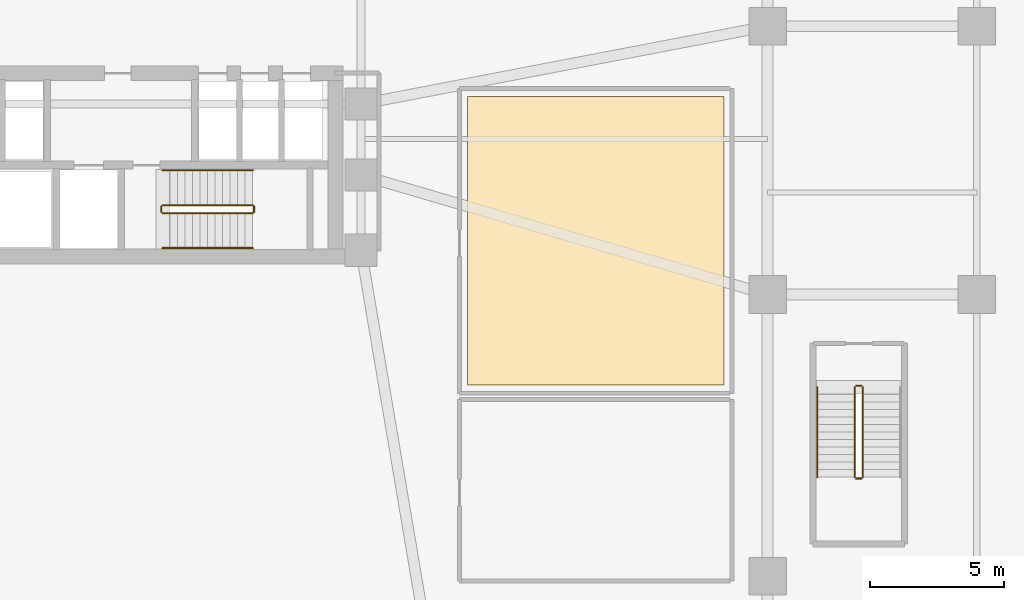
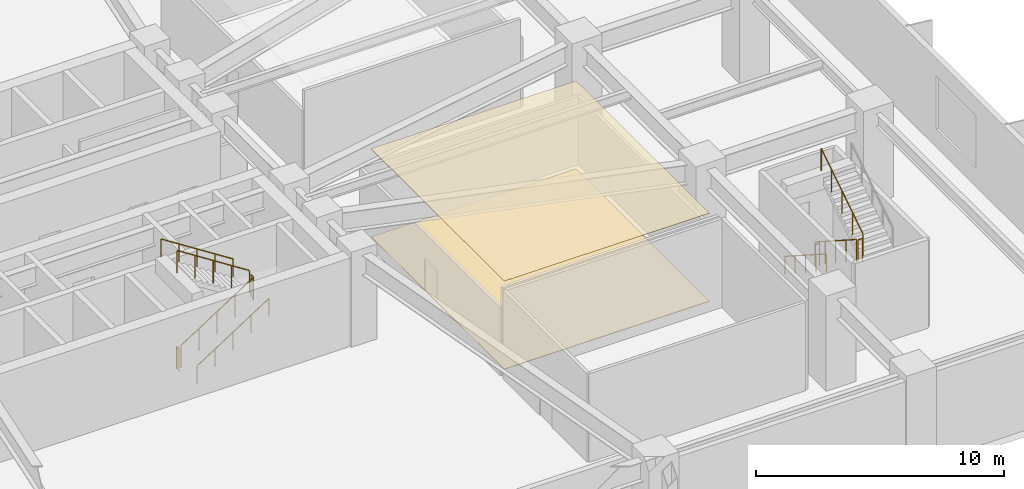
# One storey, part 9 of 12: 11 railings, 2 coverings.
"""IFC4 building model written with IfcOpenShell, lengths in metres."""

from ifc_helpers import new_model, si_unit, direction, frame, origin, origin_2d, place, context, subcontext, project, spatial, polyline, circle, outline, extrude, material, layer, layer_set, type_object, element, save


model = new_model("IFC4")

# Units and contexts
model_context = context("Model", 3, precision=1e-05, world=origin(), true_north=direction((0.0, 1.0)))
body_context = subcontext(model_context, "Body", "Model", "MODEL_VIEW")
ifc_project = project(units=[si_unit("LENGTHUNIT", "METRE"), si_unit("AREAUNIT", "SQUARE_METRE"), si_unit("VOLUMEUNIT", "CUBIC_METRE"), si_unit("PLANEANGLEUNIT", "RADIAN"), si_unit("MASSUNIT", "GRAM", prefix="KILO")], contexts=[model_context])

# Site, building, storey
site_placement = place(None, origin())
site = spatial("IfcSite", under=ifc_project, at=site_placement, CompositionType="ELEMENT")
building_placement = place(site_placement, origin())
building = spatial("IfcBuilding", under=site, at=building_placement, Name="Solmarez Civic Tower", CompositionType="ELEMENT")
storey_placement = place(building_placement, frame((0.0, 0.0, 5.39990234375)))
storey = spatial("IfcBuildingStorey", under=building, at=storey_placement, Name="L01", CompositionType="ELEMENT", Elevation=5.39990234375)

# Coverings
ifc_material_1 = material(Name="Perforated Mineral-Fibre Acoustic Ceiling")
ifc_layer_1 = layer(ifc_material_1, 0.02490234375)
ifc_layer_set_1 = layer_set([ifc_layer_1], Name="Perforated Mineral-Fibre Acoustic Ceiling")
covering_type_1 = type_object("IfcCoveringType", Name="COV-CEIL-ACOUSTIC", PredefinedType="CEILING", material=ifc_layer_set_1)
covering_1_placement = place(storey_placement, frame((0.0, 0.0, 4.335205078125)))
element("IfcCovering", 1, at=covering_1_placement, inside=storey, type_object=covering_type_1, Name="L01 Suspended Acoustic Ceiling 2", PredefinedType="CEILING", context=body_context, shape_type="SweptSolid", body=[
    extrude(outline(polyline([(22.3798828125, -13.3798828125), (22.3798828125, -2.6201171875), (12.820068359375, -2.6201171875), (12.820068359375, -13.3798828125), (22.3798828125, -13.3798828125)])), origin(), (0.0, 0.0, 1.0), 0.02490234375),
])
ifc_material_2 = material(Name="Polished Tropical Stone Terrazzo Flooring", Category="masonry")
ifc_layer_2 = layer(ifc_material_2, 0.02001953125)
ifc_layer_set_2 = layer_set([ifc_layer_2], Name="Polished Tropical Stone Terrazzo Flooring")
covering_type_2 = type_object("IfcCoveringType", Name="COV-FLOOR-TERRAZZO", PredefinedType="FLOORING", material=ifc_layer_set_2)
covering_2_placement = place(storey_placement, origin())
element("IfcCovering", 2, at=covering_2_placement, inside=storey, type_object=covering_type_2, Name="L01 Terrazzo Floor Finish 2", PredefinedType="FLOORING", context=body_context, shape_type="SweptSolid", body=[
    extrude(outline(polyline([(22.3798828125, -13.3798828125), (22.3798828125, -2.6201171875), (12.820068359375, -2.6201171875), (12.820068359375, -13.3798828125), (22.3798828125, -13.3798828125)])), origin(), (0.0, 0.0, 1.0), 0.02001953125),
])

# Railings
ifc_material_3 = material(Name="Painted Steel Stairwell Safety Guard", Category="steel")
railing_type_1 = type_object("IfcRailingType", Name="GUARD-STAIR-1120", PredefinedType="BALUSTRADE", material=ifc_material_3)
railing_1_placement = place(storey_placement, frame((1.449951171875, -6.969970703125, 0.18017578125)))
element("IfcRailing", 3, at=railing_1_placement, inside=storey, type_object=railing_type_1, Name="L01 ST-2 stair guard 1", PredefinedType="BALUSTRADE", context=body_context, shape_type="SweptSolid", body=[
    extrude(circle(Radius=0.02392578125, at=origin_2d()), frame((0.0, 0.0, 1.09619140625), z_axis=(0.84119634759, 0.0, 0.540729789082), x_axis=(0.0, 1.0, 0.0)), (0.0, 0.0, 1.0), 3.994384765625),
    extrude(circle(Radius=0.02099609375, at=origin_2d()), origin(), (0.0, 0.0, 1.0), 1.072021484375),
    extrude(circle(Radius=0.02099609375, at=origin_2d()), frame((0.840087890625, 0.0, 0.5400390625)), (0.0, 0.0, 1.0), 1.072021484375),
    extrude(circle(Radius=0.02099609375, at=origin_2d()), frame((1.68017578125, 0.0, 1.080078125)), (0.0, 0.0, 1.0), 1.072021484375),
    extrude(circle(Radius=0.02099609375, at=origin_2d()), frame((2.52001953125, 0.0, 1.619873046875)), (0.0, 0.0, 1.0), 1.072021484375),
    extrude(circle(Radius=0.02099609375, at=origin_2d()), frame((3.360107421875, 0.0, 2.159912109375)), (0.0, 0.0, 1.0), 1.072021484375),
])
railing_2_placement = place(storey_placement, frame((4.860107421875, -6.919921875, 2.340087890625)))
element("IfcRailing", 4, at=railing_2_placement, inside=storey, type_object=railing_type_1, Name="L01 ST-2 stair guard 2", PredefinedType="BALUSTRADE", context=body_context, shape_type="SweptSolid", body=[
    extrude(circle(Radius=0.02392578125, at=origin_2d()), frame((0.0, 0.0, 1.09619140625), z_axis=(0.0, 1.0, 0.0), x_axis=(-1.0, 0.0, 0.0)), (0.0, 0.0, 1.0), 0.199951171875),
    extrude(circle(Radius=0.02099609375, at=origin_2d()), origin(), (0.0, 0.0, 1.0), 1.072021484375),
    extrude(circle(Radius=0.02099609375, at=origin_2d()), frame((0.0, 0.199951171875, 0.0)), (0.0, 0.0, 1.0), 1.072021484375),
])
railing_3_placement = place(storey_placement, frame((4.81005859375, -6.669921875, 2.52001953125)))
element("IfcRailing", 5, at=railing_3_placement, inside=storey, type_object=railing_type_1, Name="L01 ST-2 stair guard 3", PredefinedType="BALUSTRADE", context=body_context, shape_type="SweptSolid", body=[
    extrude(circle(Radius=0.02392578125, at=origin_2d()), frame((0.0, 0.0, 1.09619140625), z_axis=(-0.8411685463, 0.0, 0.540773036232), x_axis=(0.0, -1.0, 0.0)), (0.0, 0.0, 1.0), 3.99462890625),
    extrude(circle(Radius=0.02099609375, at=origin_2d()), origin(), (0.0, 0.0, 1.0), 1.072021484375),
    extrude(circle(Radius=0.02099609375, at=origin_2d()), frame((-0.840087890625, 0.0, 0.5400390625)), (0.0, 0.0, 1.0), 1.072021484375),
    extrude(circle(Radius=0.02099609375, at=origin_2d()), frame((-1.68017578125, 0.0, 1.080078125)), (0.0, 0.0, 1.0), 1.072021484375),
    extrude(circle(Radius=0.02099609375, at=origin_2d()), frame((-2.52001953125, 0.0, 1.6201171875)), (0.0, 0.0, 1.0), 1.072021484375),
    extrude(circle(Radius=0.02099609375, at=origin_2d()), frame((-3.360107421875, 0.0, 2.16015625)), (0.0, 0.0, 1.0), 1.072021484375),
])
railing_4_placement = place(storey_placement, frame((1.39990234375, -6.919921875, 0.0)))
element("IfcRailing", 6, at=railing_4_placement, inside=storey, type_object=railing_type_1, Name="L01 ST-2 stair guard 4", PredefinedType="BALUSTRADE", context=body_context, shape_type="SweptSolid", body=[
    extrude(circle(Radius=0.02392578125, at=origin_2d()), frame((0.0, 0.0, 1.09619140625), z_axis=(0.0, 1.0, 0.0), x_axis=(-1.0, 0.0, 0.0)), (0.0, 0.0, 1.0), 0.199951171875),
    extrude(circle(Radius=0.02099609375, at=origin_2d()), origin(), (0.0, 0.0, 1.0), 1.072021484375),
    extrude(circle(Radius=0.02099609375, at=origin_2d()), frame((0.0, 0.199951171875, 0.0)), (0.0, 0.0, 1.0), 1.072021484375),
])
railing_5_placement = place(storey_placement, frame((27.25, -13.449951171875, 0.18017578125)))
element("IfcRailing", 7, at=railing_5_placement, inside=storey, type_object=railing_type_1, Name="L01 ST-P2 stair guard 1", PredefinedType="BALUSTRADE", context=body_context, shape_type="SweptSolid", body=[
    extrude(circle(Radius=0.02392578125, at=origin_2d()), frame((0.0, 0.0, 1.09619140625), z_axis=(0.0, -0.84119634759, 0.540729789082), x_axis=(1.0, 0.0, 0.0)), (0.0, 0.0, 1.0), 3.994384765625),
    extrude(circle(Radius=0.02099609375, at=origin_2d()), origin(), (0.0, 0.0, 1.0), 1.072021484375),
    extrude(circle(Radius=0.02099609375, at=origin_2d()), frame((0.0, -0.840087890625, 0.5400390625)), (0.0, 0.0, 1.0), 1.072021484375),
    extrude(circle(Radius=0.02099609375, at=origin_2d()), frame((0.0, -1.68017578125, 1.080078125)), (0.0, 0.0, 1.0), 1.072021484375),
    extrude(circle(Radius=0.02099609375, at=origin_2d()), frame((0.0, -2.52001953125, 1.619873046875)), (0.0, 0.0, 1.0), 1.072021484375),
    extrude(circle(Radius=0.02099609375, at=origin_2d()), frame((0.0, -3.360107421875, 2.159912109375)), (0.0, 0.0, 1.0), 1.072021484375),
])
railing_6_placement = place(storey_placement, frame((27.300048828125, -16.860107421875, 2.340087890625)))
element("IfcRailing", 8, at=railing_6_placement, inside=storey, type_object=railing_type_1, Name="L01 ST-P2 stair guard 2", PredefinedType="BALUSTRADE", context=body_context, shape_type="SweptSolid", body=[
    extrude(circle(Radius=0.02392578125, at=origin_2d()), frame((0.0, 0.0, 1.09619140625), z_axis=(1.0, 0.0, 0.0), x_axis=(0.0, 1.0, 0.0)), (0.0, 0.0, 1.0), 0.199951171875),
    extrude(circle(Radius=0.02099609375, at=origin_2d()), origin(), (0.0, 0.0, 1.0), 1.072021484375),
    extrude(circle(Radius=0.02099609375, at=origin_2d()), frame((0.199951171875, 0.0, 0.0)), (0.0, 0.0, 1.0), 1.072021484375),
])
railing_7_placement = place(storey_placement, frame((27.550048828125, -16.81005859375, 2.52001953125)))
element("IfcRailing", 9, at=railing_7_placement, inside=storey, type_object=railing_type_1, Name="L01 ST-P2 stair guard 3", PredefinedType="BALUSTRADE", context=body_context, shape_type="SweptSolid", body=[
    extrude(circle(Radius=0.02392578125, at=origin_2d()), frame((0.0, 0.0, 1.09619140625), z_axis=(0.0, 0.8411685463, 0.540773036232), x_axis=(-1.0, 0.0, 0.0)), (0.0, 0.0, 1.0), 3.99462890625),
    extrude(circle(Radius=0.02099609375, at=origin_2d()), origin(), (0.0, 0.0, 1.0), 1.072021484375),
    extrude(circle(Radius=0.02099609375, at=origin_2d()), frame((0.0, 0.840087890625, 0.5400390625)), (0.0, 0.0, 1.0), 1.072021484375),
    extrude(circle(Radius=0.02099609375, at=origin_2d()), frame((0.0, 1.68017578125, 1.080078125)), (0.0, 0.0, 1.0), 1.072021484375),
    extrude(circle(Radius=0.02099609375, at=origin_2d()), frame((0.0, 2.52001953125, 1.6201171875)), (0.0, 0.0, 1.0), 1.072021484375),
    extrude(circle(Radius=0.02099609375, at=origin_2d()), frame((0.0, 3.360107421875, 2.16015625)), (0.0, 0.0, 1.0), 1.072021484375),
])
railing_8_placement = place(storey_placement, frame((27.300048828125, -13.39990234375, 0.0)))
element("IfcRailing", 10, at=railing_8_placement, inside=storey, type_object=railing_type_1, Name="L01 ST-P2 stair guard 4", PredefinedType="BALUSTRADE", context=body_context, shape_type="SweptSolid", body=[
    extrude(circle(Radius=0.02392578125, at=origin_2d()), frame((0.0, 0.0, 1.09619140625), z_axis=(1.0, 0.0, 0.0), x_axis=(0.0, 1.0, 0.0)), (0.0, 0.0, 1.0), 0.199951171875),
    extrude(circle(Radius=0.02099609375, at=origin_2d()), origin(), (0.0, 0.0, 1.0), 1.072021484375),
    extrude(circle(Radius=0.02099609375, at=origin_2d()), frame((0.199951171875, 0.0, 0.0)), (0.0, 0.0, 1.0), 1.072021484375),
])
ifc_material_4 = material(Name="Brushed Stainless Steel Tube Handrail", Category="steel")
railing_type_2 = type_object("IfcRailingType", Name="HANDRAIL-STAIR-900", PredefinedType="HANDRAIL", material=ifc_material_4)
railing_9_placement = place(storey_placement, frame((1.449951171875, -8.27001953125, 0.18017578125)))
element("IfcRailing", 11, at=railing_9_placement, inside=storey, type_object=railing_type_2, Name="L01 ST-2 stair handrail 1", PredefinedType="HANDRAIL", context=body_context, shape_type="SweptSolid", body=[
    extrude(circle(Radius=0.02392578125, at=origin_2d()), frame((0.0, 0.0, 0.8759765625), z_axis=(0.84119634759, 0.0, 0.540729789082), x_axis=(0.0, 1.0, 0.0)), (0.0, 0.0, 1.0), 3.994384765625),
    extrude(circle(Radius=0.02099609375, at=origin_2d()), origin(), (0.0, 0.0, 1.0), 0.851806640625),
    extrude(circle(Radius=0.02099609375, at=origin_2d()), frame((0.840087890625, 0.0, 0.5400390625)), (0.0, 0.0, 1.0), 0.851806640625),
    extrude(circle(Radius=0.02099609375, at=origin_2d()), frame((1.68017578125, 0.0, 1.080078125)), (0.0, 0.0, 1.0), 0.851806640625),
    extrude(circle(Radius=0.02099609375, at=origin_2d()), frame((2.52001953125, 0.0, 1.619873046875)), (0.0, 0.0, 1.0), 0.851806640625),
    extrude(circle(Radius=0.02099609375, at=origin_2d()), frame((3.360107421875, 0.0, 2.159912109375)), (0.0, 0.0, 1.0), 0.851806640625),
])
railing_10_placement = place(storey_placement, frame((4.81005859375, -5.3701171875, 2.52001953125)))
element("IfcRailing", 12, at=railing_10_placement, inside=storey, type_object=railing_type_2, Name="L01 ST-2 stair handrail 2", PredefinedType="HANDRAIL", context=body_context, shape_type="SweptSolid", body=[
    extrude(circle(Radius=0.02392578125, at=origin_2d()), frame((0.0, 0.0, 0.8759765625), z_axis=(-0.8411685463, 0.0, 0.540773036232), x_axis=(0.0, -1.0, 0.0)), (0.0, 0.0, 1.0), 3.99462890625),
    extrude(circle(Radius=0.02099609375, at=origin_2d()), origin(), (0.0, 0.0, 1.0), 0.851806640625),
    extrude(circle(Radius=0.02099609375, at=origin_2d()), frame((-0.840087890625, 0.0, 0.5400390625)), (0.0, 0.0, 1.0), 0.851806640625),
    extrude(circle(Radius=0.02099609375, at=origin_2d()), frame((-1.68017578125, 0.0, 1.080078125)), (0.0, 0.0, 1.0), 0.851806640625),
    extrude(circle(Radius=0.02099609375, at=origin_2d()), frame((-2.52001953125, 0.0, 1.6201171875)), (0.0, 0.0, 1.0), 0.851806640625),
    extrude(circle(Radius=0.02099609375, at=origin_2d()), frame((-3.360107421875, 0.0, 2.16015625)), (0.0, 0.0, 1.0), 0.851806640625),
])
railing_11_placement = place(storey_placement, frame((25.85009765625, -13.449951171875, 0.18017578125)))
element("IfcRailing", 13, at=railing_11_placement, inside=storey, type_object=railing_type_2, Name="L01 ST-P2 stair handrail 1", PredefinedType="HANDRAIL", context=body_context, shape_type="SweptSolid", body=[
    extrude(circle(Radius=0.02392578125, at=origin_2d()), frame((0.0, 0.0, 0.8759765625), z_axis=(0.0, -0.84119634759, 0.540729789082), x_axis=(1.0, 0.0, 0.0)), (0.0, 0.0, 1.0), 3.994384765625),
    extrude(circle(Radius=0.02099609375, at=origin_2d()), origin(), (0.0, 0.0, 1.0), 0.851806640625),
    extrude(circle(Radius=0.02099609375, at=origin_2d()), frame((0.0, -0.840087890625, 0.5400390625)), (0.0, 0.0, 1.0), 0.851806640625),
    extrude(circle(Radius=0.02099609375, at=origin_2d()), frame((0.0, -1.68017578125, 1.080078125)), (0.0, 0.0, 1.0), 0.851806640625),
    extrude(circle(Radius=0.02099609375, at=origin_2d()), frame((0.0, -2.52001953125, 1.619873046875)), (0.0, 0.0, 1.0), 0.851806640625),
    extrude(circle(Radius=0.02099609375, at=origin_2d()), frame((0.0, -3.360107421875, 2.159912109375)), (0.0, 0.0, 1.0), 0.851806640625),
])

save(model, "model.ifc")
